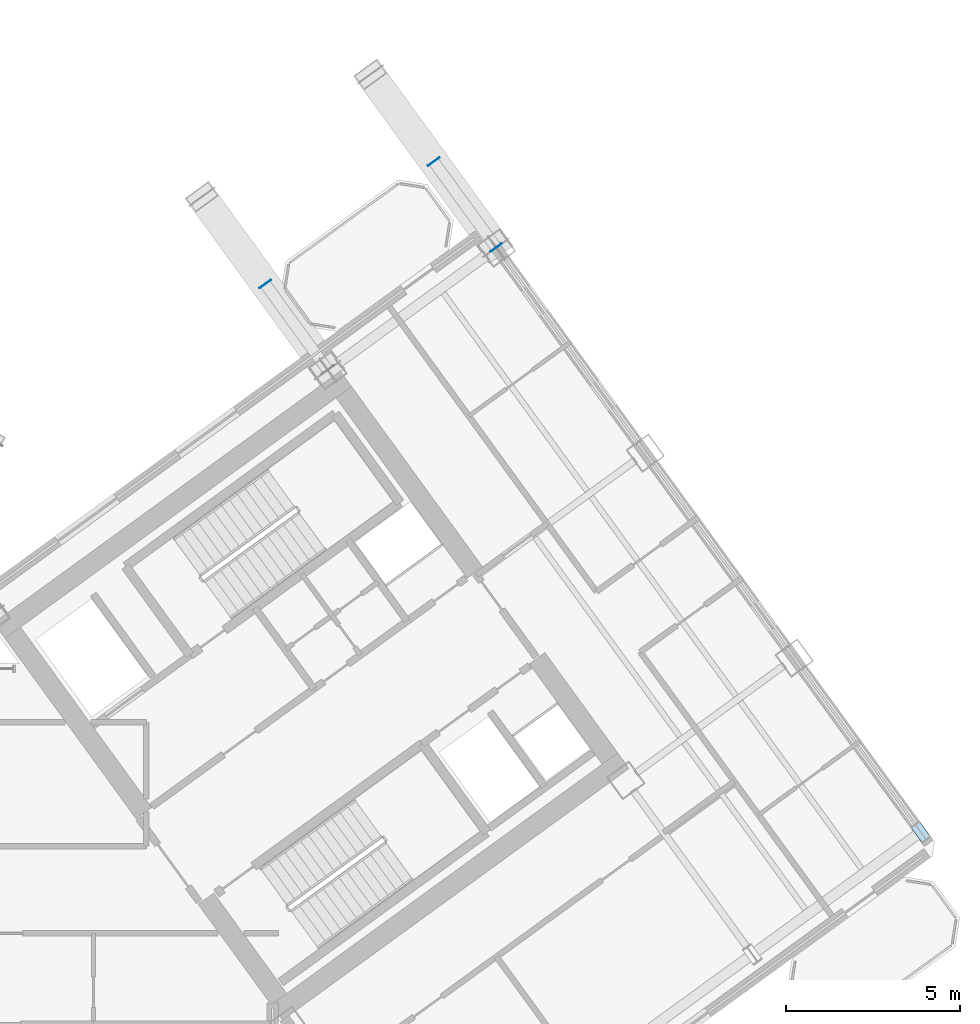
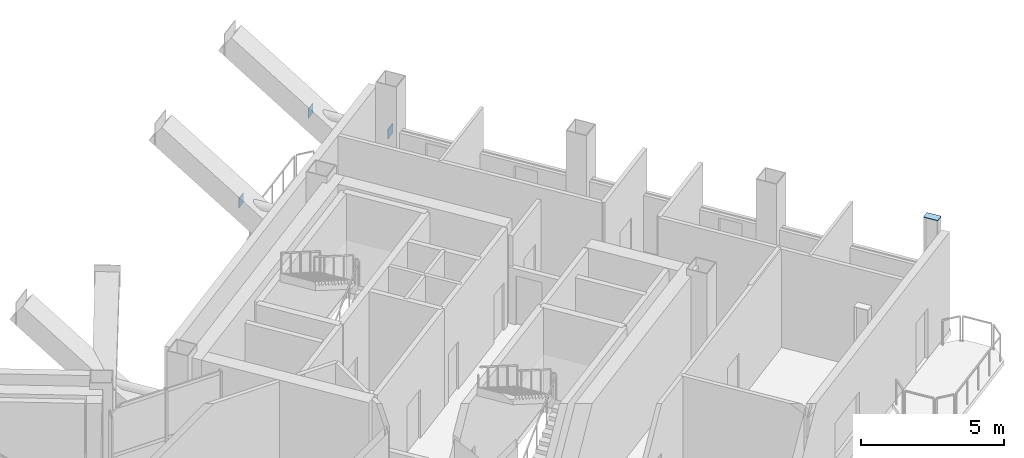
# One storey, part 21 of 34: 4 plates.
"""IFC4 building model written with IfcOpenShell, lengths in metres."""

from ifc_helpers import new_model, si_unit, direction, frame, origin, origin_2d, place, context, subcontext, project, spatial, rectangle, extrude, source, transform, mapped, material, layer, layer_set, type_object, element, save


model = new_model("IFC4")

# Units and contexts
model_context = context("Model", 3, precision=1e-05, world=origin(), true_north=direction((0.0, 1.0)))
body_context = subcontext(model_context, "Body", "Model", "MODEL_VIEW")
ifc_project = project(units=[si_unit("LENGTHUNIT", "METRE"), si_unit("AREAUNIT", "SQUARE_METRE"), si_unit("VOLUMEUNIT", "CUBIC_METRE"), si_unit("PLANEANGLEUNIT", "RADIAN"), si_unit("MASSUNIT", "GRAM", prefix="KILO")], contexts=[model_context])

# Site, building, storey
site_placement = place(None, origin())
site = spatial("IfcSite", under=ifc_project, at=site_placement, CompositionType="ELEMENT")
building_placement = place(site_placement, origin())
building = spatial("IfcBuilding", under=site, at=building_placement, Name="Tlacorven Tower", CompositionType="ELEMENT")
storey_placement = place(building_placement, frame((0.0, 0.0, 174.89990234375)))
storey = spatial("IfcBuildingStorey", under=building, at=storey_placement, Name="L44", CompositionType="ELEMENT", Elevation=174.89990234375)

# Plates
ifc_material = material(Name="Steel S460M", Category="steel")
ifc_layer = layer(ifc_material, 0.02392578125)
ifc_layer_set = layer_set([ifc_layer], Name="Steel S460M")
plate_type = type_object("IfcPlateType", Name="PL-CAP-END1", PredefinedType="USERDEFINED", material=ifc_layer_set)
shared_shape_1 = source(origin(), body_context, "Body", "SweptSolid", [
    extrude(rectangle(XDim=0.02392578125, YDim=0.40380859375, at=origin_2d()), origin(), (0.0, 0.0, 1.0), 0.40380859375),
])
for number, where, z_axis, x_axis, name in (
    (1, (52.021484375, 34.13037109375, 2.048095703125), (0.0, 0.0, 1.0), (-0.58778405524, 0.809017864083, 0.0), "L44 hollow end cap plate SBR-L44-E3 2"),
    (2, (58.67431640625, 35.181396484375, 2.048095703125), (0.0, 0.0, 1.0), (-0.587784424535, 0.809017595775, 0.0), "L44 hollow end cap plate SBR-L44-E4 1"),
    (3, (56.875732421875, 37.656982421875, 2.048095703125), (0.0, 0.0, 1.0), (-0.587784424535, 0.809017595775, 0.0), "L44 hollow end cap plate SBR-L44-E4 2"),
):
    element("IfcPlate", number, at=place(storey_placement, frame(where, z_axis=z_axis, x_axis=x_axis)), inside=storey, type_object=plate_type, Name=name, ObjectType="END PLATE", PredefinedType="USERDEFINED", context=body_context, shape_type="MappedRepresentation", body=[
        mapped(shared_shape_1, transform((0.0, 0.0, 0.0), scale=1.0)),
    ])
shared_shape_2 = source(origin(), body_context, "Body", "SweptSolid", [
    extrude(rectangle(XDim=0.300048828125, YDim=0.550048828125, at=origin_2d()), origin(), (0.0, 0.0, 1.0), 0.02392578125),
])
plate_placement = place(storey_placement, frame((70.912109375, 18.337646484375, 4.498046875), z_axis=(0.0, 0.0, 1.0), x_axis=(0.809016994375, 0.587785252292, 0.0)))
element("IfcPlate", 4, at=plate_placement, inside=storey, type_object=plate_type, Name="L44 Hollow Column Top Cap Plate COL-L44-E4-1", ObjectType="END PLATE", PredefinedType="USERDEFINED", context=body_context, shape_type="MappedRepresentation", body=[
    mapped(shared_shape_2, transform((0.0, 0.0, 0.0), scale=1.0)),
])

save(model, "model.ifc")
